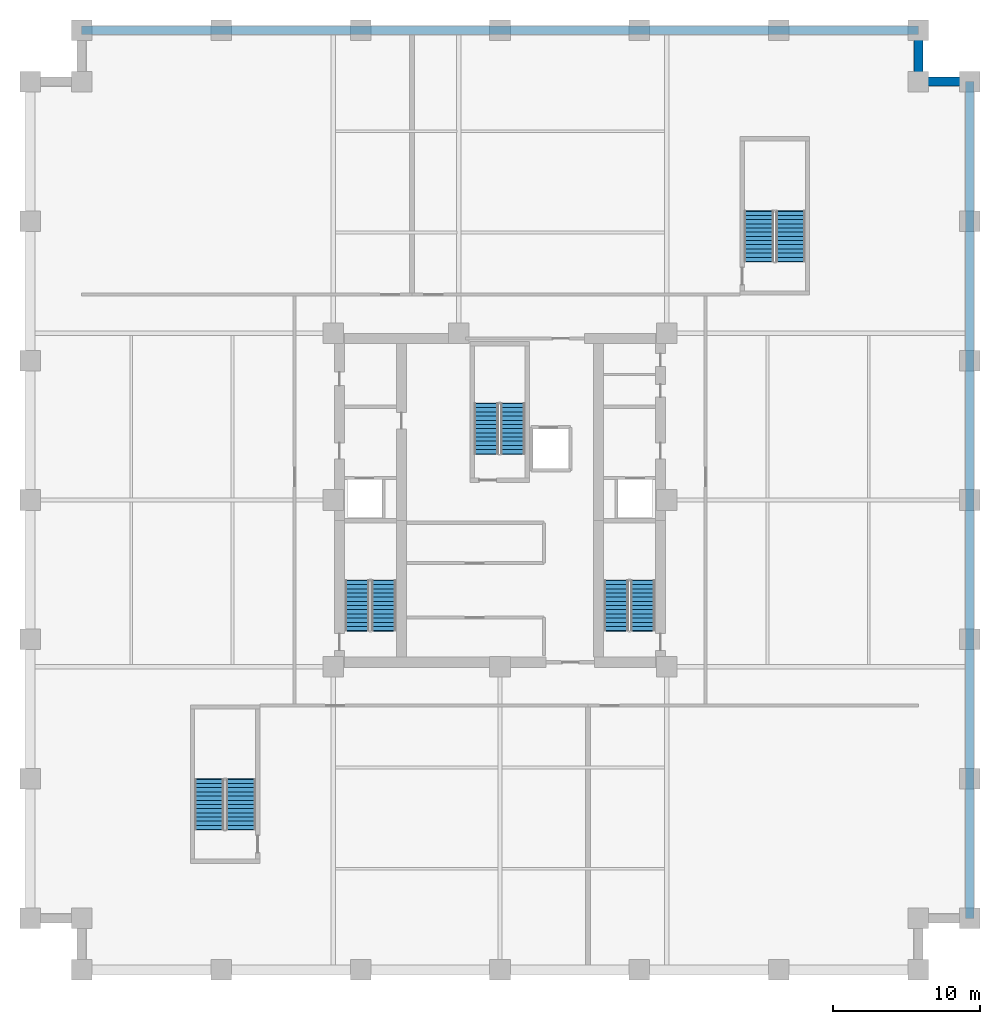
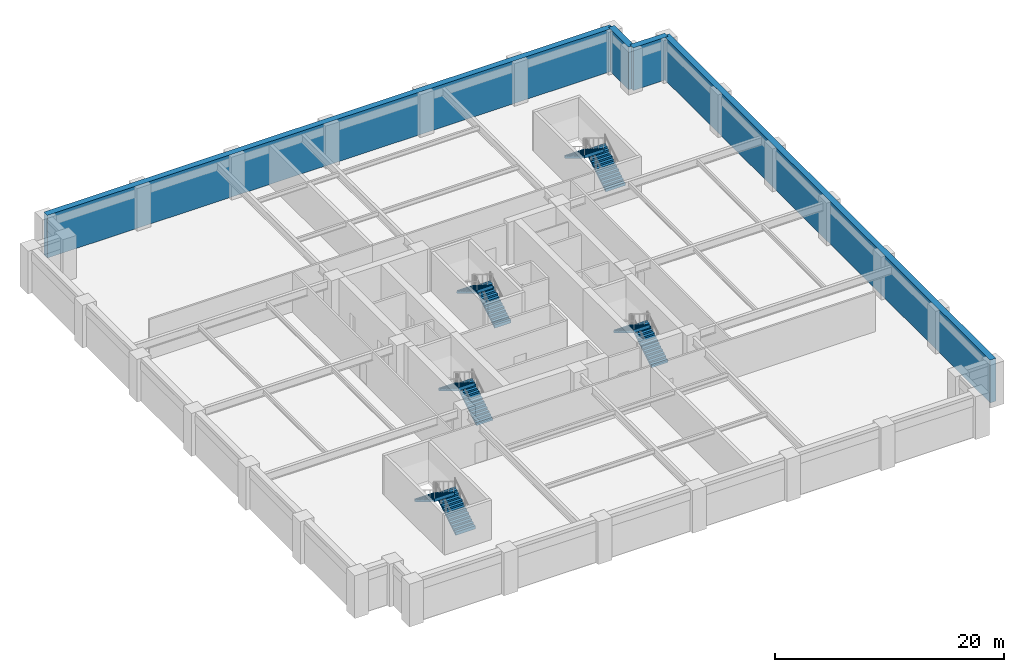
# One storey, part 4 of 6: 10 stair flights, 4 walls, 5 elements without a shape of their own.
"""IFC4 building model written with IfcOpenShell, lengths in metres."""

from ifc_helpers import new_model, si_unit, direction, frame, frame_2d, origin, place, context, subcontext, project, spatial, polyline, rectangle, outline, extrude, material, layer, layer_set, type_object, element, aggregate, save


model = new_model("IFC4")

# Units and contexts
model_context = context("Model", 3, precision=1e-05, world=origin(), true_north=direction((0.0, 1.0)))
body_context = subcontext(model_context, "Body", "Model", "MODEL_VIEW")
ifc_project = project(units=[si_unit("LENGTHUNIT", "METRE"), si_unit("AREAUNIT", "SQUARE_METRE"), si_unit("VOLUMEUNIT", "CUBIC_METRE"), si_unit("PLANEANGLEUNIT", "RADIAN"), si_unit("MASSUNIT", "GRAM", prefix="KILO")], contexts=[model_context])

# Site, building, storey
site_placement = place(None, origin())
site = spatial("IfcSite", under=ifc_project, at=site_placement, CompositionType="ELEMENT")
building_placement = place(site_placement, origin())
building = spatial("IfcBuilding", under=site, at=building_placement, Name="Nhamokura Convention Tower", CompositionType="ELEMENT")
storey_placement = place(building_placement, frame((0.0, 0.0, -4.550048828125)))
storey = spatial("IfcBuildingStorey", under=building, at=storey_placement, Name="B01", CompositionType="ELEMENT", Elevation=-4.550048828125)

# Walls
ifc_material_1 = material(Name="Concrete C50/60", Category="concrete")
ifc_layer = layer(ifc_material_1, 0.60009765625)
ifc_layer_set = layer_set([ifc_layer], Name="BasementRetainingWall_600")
wall_type = type_object("IfcWallType", Name="BasementRetainingWall_600", PredefinedType="USERDEFINED", material=ifc_layer_set)
wall_1_placement = place(storey_placement, frame((64.0, 3.5, 0.0), z_axis=(0.0, 0.0, 1.0), x_axis=(0.0, 1.0, 0.0)))
element("IfcWall", 1, at=wall_1_placement, inside=storey, type_object=wall_type, Name="B01 Perimeter Retaining Wall 04", ObjectType="RETAININGWALL", PredefinedType="USERDEFINED", context=body_context, shape_type="SweptSolid", body=[
    extrude(rectangle(XDim=57.0, YDim=0.60009765625, at=frame_2d((28.5, 0.0))), origin(), (0.0, 0.0, 1.0), 4.550048828125),
])
for number, where, z_axis, x_axis, name in (
    (2, (64.0, 60.5, 0.0), (0.0, 0.0, 1.0), (-1.0, 0.0, 0.0), "B01 Perimeter Retaining Wall 05"),
    (3, (60.5, 60.5, 0.0), (0.0, 0.0, 1.0), (0.0, 1.0, 0.0), "B01 Perimeter Retaining Wall 06"),
):
    element("IfcWall", number, at=place(storey_placement, frame(where, z_axis=z_axis, x_axis=x_axis)), inside=storey, type_object=wall_type, Name=name, ObjectType="RETAININGWALL", PredefinedType="USERDEFINED", context=body_context, shape_type="SweptSolid", body=[
        extrude(rectangle(XDim=3.5, YDim=0.60009765625, at=frame_2d((1.75, 0.0))), origin(), (0.0, 0.0, 1.0), 4.550048828125),
    ])
wall_2_placement = place(storey_placement, frame((60.5, 64.0, 0.0), z_axis=(0.0, 0.0, 1.0), x_axis=(-1.0, 0.0, 0.0)))
element("IfcWall", 4, at=wall_2_placement, inside=storey, type_object=wall_type, Name="B01 Perimeter Retaining Wall 07", ObjectType="RETAININGWALL", PredefinedType="USERDEFINED", context=body_context, shape_type="SweptSolid", body=[
    extrude(rectangle(XDim=57.0, YDim=0.60009765625, at=frame_2d((28.5, 0.0))), origin(), (0.0, 0.0, 1.0), 4.550048828125),
])

# Stair, stair flights
ifc_material_2 = material(Name="Concrete C40/50", Category="concrete")
stair_type_1 = type_object("IfcStairType", Name="PodiumExitStair_2000", PredefinedType="HALF_TURN_STAIR", material=ifc_material_2)
stair_1_placement = place(storey_placement, origin())
stair_1 = element("IfcStair", 5, at=stair_1_placement, inside=storey, type_object=stair_type_1, Name="B01 South-West Podium Smokeproof Stair ST-04", PredefinedType="HALF_TURN_STAIR")
ifc_material_3 = material(Name="Concrete C40/50", Category="concrete")
stair_flight_type_1 = type_object("IfcStairFlightType", Name="PodiumExitStair_2000_Flight", PredefinedType="STRAIGHT", material=ifc_material_3)
stair_flight_1_placement = place(storey_placement, frame((14.35009765625, 9.550048828125, 0.0), z_axis=(0.0, 0.0, 1.0), x_axis=(0.0, 1.0, 0.0)))
stair_flight_1 = element("IfcStairFlight", 6, at=stair_flight_1_placement, type_object=stair_flight_type_1, Name="ST-04 flight 1", NumberOfRisers=13, NumberOfTreads=12, PredefinedType="STRAIGHT", RiserHeight=0.175, TreadLength=0.285, context=body_context, shape_type="SweptSolid", body=[
    extrude(outline(polyline([(-0.0419921875, 0.0), (0.0, 0.175048828125), (0.284912109375, 0.175048828125), (0.284912109375, 0.35009765625), (0.570068359375, 0.35009765625), (0.570068359375, 0.52490234375), (0.85498046875, 0.52490234375), (0.85498046875, 0.699951171875), (1.139892578125, 0.699951171875), (1.139892578125, 0.875), (1.425048828125, 0.875), (1.425048828125, 1.050048828125), (1.7099609375, 1.050048828125), (1.7099609375, 1.22509765625), (1.9951171875, 1.22509765625), (1.9951171875, 1.39990234375), (2.280029296875, 1.39990234375), (2.280029296875, 1.574951171875), (2.56494140625, 1.574951171875), (2.56494140625, 1.75), (2.85009765625, 1.75), (2.85009765625, 1.925048828125), (3.135009765625, 1.925048828125), (3.135009765625, 2.10009765625), (3.419921875, 2.10009765625), (3.419921875, 2.27490234375), (3.4619140625, 2.27490234375), (3.4619140625, 1.924072265625), (3.419921875, 1.924072265625), (0.286376953125, 0.0), (0.02001953125, -0.1298828125), (-0.0419921875, -0.1298828125), (-0.0419921875, 0.0)])), frame((0.0, 1.0, 0.0), z_axis=(0.0, -1.0, 0.0), x_axis=(1.0, 0.0, 0.0)), (0.0, 0.0, 1.0), 2.0),
])
stair_flight_2_placement = place(storey_placement, frame((12.199951171875, 12.969970703125, 2.275146484375), z_axis=(0.0, 0.0, 1.0), x_axis=(0.0, -1.0, 0.0)))
stair_flight_2 = element("IfcStairFlight", 7, at=stair_flight_2_placement, type_object=stair_flight_type_1, Name="ST-04 flight 2", NumberOfRisers=13, NumberOfTreads=12, PredefinedType="STRAIGHT", RiserHeight=0.175, TreadLength=0.285, context=body_context, shape_type="SweptSolid", body=[
    extrude(outline(polyline([(-0.0419921875, 0.0), (0.0, 0.175048828125), (0.284912109375, 0.175048828125), (0.284912109375, 0.35009765625), (0.570068359375, 0.35009765625), (0.570068359375, 0.52490234375), (0.85498046875, 0.52490234375), (0.85498046875, 0.699951171875), (1.139892578125, 0.699951171875), (1.139892578125, 0.875), (1.425048828125, 0.875), (1.425048828125, 1.050048828125), (1.7099609375, 1.050048828125), (1.7099609375, 1.22509765625), (1.9951171875, 1.22509765625), (1.9951171875, 1.39990234375), (2.280029296875, 1.39990234375), (2.280029296875, 1.574951171875), (2.56494140625, 1.574951171875), (2.56494140625, 1.75), (2.85009765625, 1.75), (2.85009765625, 1.925048828125), (3.135009765625, 1.925048828125), (3.135009765625, 2.10009765625), (3.419921875, 2.10009765625), (3.419921875, 2.27490234375), (3.4619140625, 2.27490234375), (3.4619140625, 1.924072265625), (3.419921875, 1.924072265625), (0.286376953125, 0.0), (0.02001953125, -0.1298828125), (-0.0419921875, -0.1298828125), (-0.0419921875, 0.0)])), frame((0.0, 1.0, 0.0), z_axis=(0.0, -1.0, 0.0), x_axis=(1.0, 0.0, 0.0)), (0.0, 0.0, 1.0), 2.0),
])
aggregate(stair_1, [stair_flight_1, stair_flight_2])

stair_2_placement = place(storey_placement, origin())
stair_2 = element("IfcStair", 8, at=stair_2_placement, inside=storey, type_object=stair_type_1, Name="B01 North-East Podium Smokeproof Stair ST-05", PredefinedType="HALF_TURN_STAIR")
stair_flight_3_placement = place(storey_placement, frame((51.800048828125, 48.25, 0.0), z_axis=(0.0, 0.0, 1.0), x_axis=(0.0, 1.0, 0.0)))
stair_flight_3 = element("IfcStairFlight", 9, at=stair_flight_3_placement, type_object=stair_flight_type_1, Name="ST-05 flight 1", NumberOfRisers=13, NumberOfTreads=12, PredefinedType="STRAIGHT", RiserHeight=0.175, TreadLength=0.285, context=body_context, shape_type="SweptSolid", body=[
    extrude(outline(polyline([(-0.0419921875, 0.0), (0.0, 0.175048828125), (0.284912109375, 0.175048828125), (0.284912109375, 0.35009765625), (0.570068359375, 0.35009765625), (0.570068359375, 0.52490234375), (0.85498046875, 0.52490234375), (0.85498046875, 0.699951171875), (1.139892578125, 0.699951171875), (1.139892578125, 0.875), (1.425048828125, 0.875), (1.425048828125, 1.050048828125), (1.7099609375, 1.050048828125), (1.7099609375, 1.22509765625), (1.9951171875, 1.22509765625), (1.9951171875, 1.39990234375), (2.280029296875, 1.39990234375), (2.280029296875, 1.574951171875), (2.56494140625, 1.574951171875), (2.56494140625, 1.75), (2.85009765625, 1.75), (2.85009765625, 1.925048828125), (3.135009765625, 1.925048828125), (3.135009765625, 2.10009765625), (3.419921875, 2.10009765625), (3.419921875, 2.27490234375), (3.4619140625, 2.27490234375), (3.4619140625, 1.924072265625), (3.419921875, 1.924072265625), (0.286376953125, 0.0), (0.02001953125, -0.1298828125), (-0.0419921875, -0.1298828125), (-0.0419921875, 0.0)])), frame((0.0, 1.0, 0.0), z_axis=(0.0, -1.0, 0.0), x_axis=(1.0, 0.0, 0.0)), (0.0, 0.0, 1.0), 2.0),
])
stair_flight_4_placement = place(storey_placement, frame((49.64990234375, 51.669921875, 2.275146484375), z_axis=(0.0, 0.0, 1.0), x_axis=(0.0, -1.0, 0.0)))
stair_flight_4 = element("IfcStairFlight", 10, at=stair_flight_4_placement, type_object=stair_flight_type_1, Name="ST-05 flight 2", NumberOfRisers=13, NumberOfTreads=12, PredefinedType="STRAIGHT", RiserHeight=0.175, TreadLength=0.285, context=body_context, shape_type="SweptSolid", body=[
    extrude(outline(polyline([(-0.0419921875, 0.0), (0.0, 0.175048828125), (0.284912109375, 0.175048828125), (0.284912109375, 0.35009765625), (0.570068359375, 0.35009765625), (0.570068359375, 0.52490234375), (0.85498046875, 0.52490234375), (0.85498046875, 0.699951171875), (1.139892578125, 0.699951171875), (1.139892578125, 0.875), (1.425048828125, 0.875), (1.425048828125, 1.050048828125), (1.7099609375, 1.050048828125), (1.7099609375, 1.22509765625), (1.9951171875, 1.22509765625), (1.9951171875, 1.39990234375), (2.280029296875, 1.39990234375), (2.280029296875, 1.574951171875), (2.56494140625, 1.574951171875), (2.56494140625, 1.75), (2.85009765625, 1.75), (2.85009765625, 1.925048828125), (3.135009765625, 1.925048828125), (3.135009765625, 2.10009765625), (3.419921875, 2.10009765625), (3.419921875, 2.27490234375), (3.4619140625, 2.27490234375), (3.4619140625, 1.924072265625), (3.419921875, 1.924072265625), (0.286376953125, 0.0), (0.02001953125, -0.1298828125), (-0.0419921875, -0.1298828125), (-0.0419921875, 0.0)])), frame((0.0, 1.0, 0.0), z_axis=(0.0, -1.0, 0.0), x_axis=(1.0, 0.0, 0.0)), (0.0, 0.0, 1.0), 2.0),
])
aggregate(stair_2, [stair_flight_3, stair_flight_4])

ifc_material_4 = material(Name="Concrete C40/50", Category="concrete")
stair_type_2 = type_object("IfcStairType", Name="TowerCoreStair_1650", PredefinedType="HALF_TURN_STAIR", material=ifc_material_4)
stair_3_placement = place(storey_placement, origin())
stair_3 = element("IfcStair", 11, at=stair_3_placement, inside=storey, type_object=stair_type_2, Name="B01 West Core Smokeproof Stair ST-01", PredefinedType="HALF_TURN_STAIR")
ifc_material_5 = material(Name="Concrete C40/50", Category="concrete")
stair_flight_type_2 = type_object("IfcStairFlightType", Name="TowerCoreStair_1650_Flight", PredefinedType="STRAIGHT", material=ifc_material_5)
stair_flight_5_placement = place(storey_placement, frame((24.074951171875, 23.10009765625, 0.0), z_axis=(0.0, 0.0, 1.0), x_axis=(0.0, 1.0, 0.0)))
stair_flight_5 = element("IfcStairFlight", 12, at=stair_flight_5_placement, type_object=stair_flight_type_2, Name="ST-01 flight 1", NumberOfRisers=13, NumberOfTreads=12, PredefinedType="STRAIGHT", RiserHeight=0.175, TreadLength=0.285, context=body_context, shape_type="SweptSolid", body=[
    extrude(outline(polyline([(-0.0419921875, 0.0), (0.0, 0.175048828125), (0.284912109375, 0.175048828125), (0.284912109375, 0.35009765625), (0.570068359375, 0.35009765625), (0.570068359375, 0.52490234375), (0.85498046875, 0.52490234375), (0.85498046875, 0.699951171875), (1.139892578125, 0.699951171875), (1.139892578125, 0.875), (1.425048828125, 0.875), (1.425048828125, 1.050048828125), (1.7099609375, 1.050048828125), (1.7099609375, 1.22509765625), (1.9951171875, 1.22509765625), (1.9951171875, 1.39990234375), (2.280029296875, 1.39990234375), (2.280029296875, 1.574951171875), (2.56494140625, 1.574951171875), (2.56494140625, 1.75), (2.85009765625, 1.75), (2.85009765625, 1.925048828125), (3.135009765625, 1.925048828125), (3.135009765625, 2.10009765625), (3.419921875, 2.10009765625), (3.419921875, 2.27490234375), (3.4619140625, 2.27490234375), (3.4619140625, 1.924072265625), (3.419921875, 1.924072265625), (0.286376953125, 0.0), (0.02001953125, -0.1298828125), (-0.0419921875, -0.1298828125), (-0.0419921875, 0.0)])), frame((0.0, 0.824951171875, 0.0), z_axis=(0.0, -1.0, 0.0), x_axis=(1.0, 0.0, 0.0)), (0.0, 0.0, 1.0), 1.64990234375),
])
stair_flight_6_placement = place(storey_placement, frame((22.27490234375, 26.52001953125, 2.275146484375), z_axis=(0.0, 0.0, 1.0), x_axis=(0.0, -1.0, 0.0)))
stair_flight_6 = element("IfcStairFlight", 13, at=stair_flight_6_placement, type_object=stair_flight_type_2, Name="ST-01 flight 2", NumberOfRisers=13, NumberOfTreads=12, PredefinedType="STRAIGHT", RiserHeight=0.175, TreadLength=0.285, context=body_context, shape_type="SweptSolid", body=[
    extrude(outline(polyline([(-0.0419921875, 0.0), (0.0, 0.175048828125), (0.284912109375, 0.175048828125), (0.284912109375, 0.35009765625), (0.570068359375, 0.35009765625), (0.570068359375, 0.52490234375), (0.85498046875, 0.52490234375), (0.85498046875, 0.699951171875), (1.139892578125, 0.699951171875), (1.139892578125, 0.875), (1.425048828125, 0.875), (1.425048828125, 1.050048828125), (1.7099609375, 1.050048828125), (1.7099609375, 1.22509765625), (1.9951171875, 1.22509765625), (1.9951171875, 1.39990234375), (2.280029296875, 1.39990234375), (2.280029296875, 1.574951171875), (2.56494140625, 1.574951171875), (2.56494140625, 1.75), (2.85009765625, 1.75), (2.85009765625, 1.925048828125), (3.135009765625, 1.925048828125), (3.135009765625, 2.10009765625), (3.419921875, 2.10009765625), (3.419921875, 2.27490234375), (3.4619140625, 2.27490234375), (3.4619140625, 1.924072265625), (3.419921875, 1.924072265625), (0.286376953125, 0.0), (0.02001953125, -0.1298828125), (-0.0419921875, -0.1298828125), (-0.0419921875, 0.0)])), frame((0.0, 0.824951171875, 0.0), z_axis=(0.0, -1.0, 0.0), x_axis=(1.0, 0.0, 0.0)), (0.0, 0.0, 1.0), 1.64990234375),
])
aggregate(stair_3, [stair_flight_5, stair_flight_6])

stair_4_placement = place(storey_placement, origin())
stair_4 = element("IfcStair", 14, at=stair_4_placement, inside=storey, type_object=stair_type_2, Name="B01 East Core Smokeproof Stair ST-02", PredefinedType="HALF_TURN_STAIR")
stair_flight_7_placement = place(storey_placement, frame((41.72509765625, 23.10009765625, 0.0), z_axis=(0.0, 0.0, 1.0), x_axis=(0.0, 1.0, 0.0)))
stair_flight_7 = element("IfcStairFlight", 15, at=stair_flight_7_placement, type_object=stair_flight_type_2, Name="ST-02 flight 1", NumberOfRisers=13, NumberOfTreads=12, PredefinedType="STRAIGHT", RiserHeight=0.175, TreadLength=0.285, context=body_context, shape_type="SweptSolid", body=[
    extrude(outline(polyline([(-0.0419921875, 0.0), (0.0, 0.175048828125), (0.284912109375, 0.175048828125), (0.284912109375, 0.35009765625), (0.570068359375, 0.35009765625), (0.570068359375, 0.52490234375), (0.85498046875, 0.52490234375), (0.85498046875, 0.699951171875), (1.139892578125, 0.699951171875), (1.139892578125, 0.875), (1.425048828125, 0.875), (1.425048828125, 1.050048828125), (1.7099609375, 1.050048828125), (1.7099609375, 1.22509765625), (1.9951171875, 1.22509765625), (1.9951171875, 1.39990234375), (2.280029296875, 1.39990234375), (2.280029296875, 1.574951171875), (2.56494140625, 1.574951171875), (2.56494140625, 1.75), (2.85009765625, 1.75), (2.85009765625, 1.925048828125), (3.135009765625, 1.925048828125), (3.135009765625, 2.10009765625), (3.419921875, 2.10009765625), (3.419921875, 2.27490234375), (3.4619140625, 2.27490234375), (3.4619140625, 1.924072265625), (3.419921875, 1.924072265625), (0.286376953125, 0.0), (0.02001953125, -0.1298828125), (-0.0419921875, -0.1298828125), (-0.0419921875, 0.0)])), frame((0.0, 0.824951171875, 0.0), z_axis=(0.0, -1.0, 0.0), x_axis=(1.0, 0.0, 0.0)), (0.0, 0.0, 1.0), 1.64990234375),
])
stair_flight_8_placement = place(storey_placement, frame((39.925048828125, 26.52001953125, 2.275146484375), z_axis=(0.0, 0.0, 1.0), x_axis=(0.0, -1.0, 0.0)))
stair_flight_8 = element("IfcStairFlight", 16, at=stair_flight_8_placement, type_object=stair_flight_type_2, Name="ST-02 flight 2", NumberOfRisers=13, NumberOfTreads=12, PredefinedType="STRAIGHT", RiserHeight=0.175, TreadLength=0.285, context=body_context, shape_type="SweptSolid", body=[
    extrude(outline(polyline([(-0.0419921875, 0.0), (0.0, 0.175048828125), (0.284912109375, 0.175048828125), (0.284912109375, 0.35009765625), (0.570068359375, 0.35009765625), (0.570068359375, 0.52490234375), (0.85498046875, 0.52490234375), (0.85498046875, 0.699951171875), (1.139892578125, 0.699951171875), (1.139892578125, 0.875), (1.425048828125, 0.875), (1.425048828125, 1.050048828125), (1.7099609375, 1.050048828125), (1.7099609375, 1.22509765625), (1.9951171875, 1.22509765625), (1.9951171875, 1.39990234375), (2.280029296875, 1.39990234375), (2.280029296875, 1.574951171875), (2.56494140625, 1.574951171875), (2.56494140625, 1.75), (2.85009765625, 1.75), (2.85009765625, 1.925048828125), (3.135009765625, 1.925048828125), (3.135009765625, 2.10009765625), (3.419921875, 2.10009765625), (3.419921875, 2.27490234375), (3.4619140625, 2.27490234375), (3.4619140625, 1.924072265625), (3.419921875, 1.924072265625), (0.286376953125, 0.0), (0.02001953125, -0.1298828125), (-0.0419921875, -0.1298828125), (-0.0419921875, 0.0)])), frame((0.0, 0.824951171875, 0.0), z_axis=(0.0, -1.0, 0.0), x_axis=(1.0, 0.0, 0.0)), (0.0, 0.0, 1.0), 1.64990234375),
])
aggregate(stair_4, [stair_flight_7, stair_flight_8])

stair_5_placement = place(storey_placement, origin())
stair_5 = element("IfcStair", 17, at=stair_5_placement, inside=storey, type_object=stair_type_2, Name="B01 North Core Smokeproof Stair ST-03", PredefinedType="HALF_TURN_STAIR")
stair_flight_9_placement = place(storey_placement, frame((32.875, 35.14990234375, 0.0), z_axis=(0.0, 0.0, 1.0), x_axis=(0.0, 1.0, 0.0)))
stair_flight_9 = element("IfcStairFlight", 18, at=stair_flight_9_placement, type_object=stair_flight_type_2, Name="ST-03 flight 1", NumberOfRisers=13, NumberOfTreads=12, PredefinedType="STRAIGHT", RiserHeight=0.175, TreadLength=0.285, context=body_context, shape_type="SweptSolid", body=[
    extrude(outline(polyline([(-0.0419921875, 0.0), (0.0, 0.175048828125), (0.284912109375, 0.175048828125), (0.284912109375, 0.35009765625), (0.570068359375, 0.35009765625), (0.570068359375, 0.52490234375), (0.85498046875, 0.52490234375), (0.85498046875, 0.699951171875), (1.139892578125, 0.699951171875), (1.139892578125, 0.875), (1.425048828125, 0.875), (1.425048828125, 1.050048828125), (1.7099609375, 1.050048828125), (1.7099609375, 1.22509765625), (1.9951171875, 1.22509765625), (1.9951171875, 1.39990234375), (2.280029296875, 1.39990234375), (2.280029296875, 1.574951171875), (2.56494140625, 1.574951171875), (2.56494140625, 1.75), (2.85009765625, 1.75), (2.85009765625, 1.925048828125), (3.135009765625, 1.925048828125), (3.135009765625, 2.10009765625), (3.419921875, 2.10009765625), (3.419921875, 2.27490234375), (3.4619140625, 2.27490234375), (3.4619140625, 1.924072265625), (3.419921875, 1.924072265625), (0.286376953125, 0.0), (0.02001953125, -0.1298828125), (-0.0419921875, -0.1298828125), (-0.0419921875, 0.0)])), frame((0.0, 0.824951171875, 0.0), z_axis=(0.0, -1.0, 0.0), x_axis=(1.0, 0.0, 0.0)), (0.0, 0.0, 1.0), 1.64990234375),
])
stair_flight_10_placement = place(storey_placement, frame((31.074951171875, 38.570068359375, 2.275146484375), z_axis=(0.0, 0.0, 1.0), x_axis=(0.0, -1.0, 0.0)))
stair_flight_10 = element("IfcStairFlight", 19, at=stair_flight_10_placement, type_object=stair_flight_type_2, Name="ST-03 flight 2", NumberOfRisers=13, NumberOfTreads=12, PredefinedType="STRAIGHT", RiserHeight=0.175, TreadLength=0.285, context=body_context, shape_type="SweptSolid", body=[
    extrude(outline(polyline([(-0.0419921875, 0.0), (0.0, 0.175048828125), (0.284912109375, 0.175048828125), (0.284912109375, 0.35009765625), (0.570068359375, 0.35009765625), (0.570068359375, 0.52490234375), (0.85498046875, 0.52490234375), (0.85498046875, 0.699951171875), (1.139892578125, 0.699951171875), (1.139892578125, 0.875), (1.425048828125, 0.875), (1.425048828125, 1.050048828125), (1.7099609375, 1.050048828125), (1.7099609375, 1.22509765625), (1.9951171875, 1.22509765625), (1.9951171875, 1.39990234375), (2.280029296875, 1.39990234375), (2.280029296875, 1.574951171875), (2.56494140625, 1.574951171875), (2.56494140625, 1.75), (2.85009765625, 1.75), (2.85009765625, 1.925048828125), (3.135009765625, 1.925048828125), (3.135009765625, 2.10009765625), (3.419921875, 2.10009765625), (3.419921875, 2.27490234375), (3.4619140625, 2.27490234375), (3.4619140625, 1.924072265625), (3.419921875, 1.924072265625), (0.286376953125, 0.0), (0.02001953125, -0.1298828125), (-0.0419921875, -0.1298828125), (-0.0419921875, 0.0)])), frame((0.0, 0.824951171875, 0.0), z_axis=(0.0, -1.0, 0.0), x_axis=(1.0, 0.0, 0.0)), (0.0, 0.0, 1.0), 1.64990234375),
])
aggregate(stair_5, [stair_flight_9, stair_flight_10])

save(model, "model.ifc")
